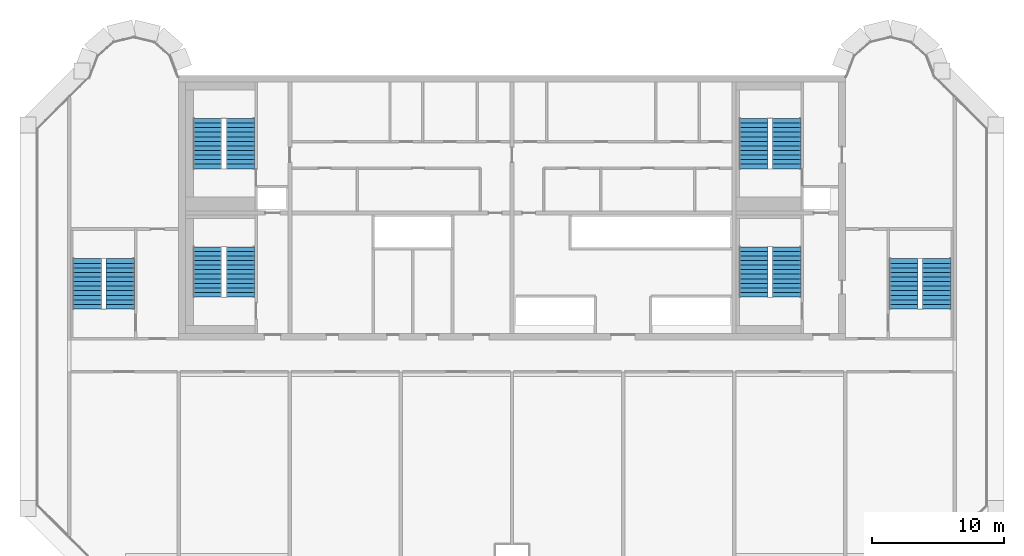
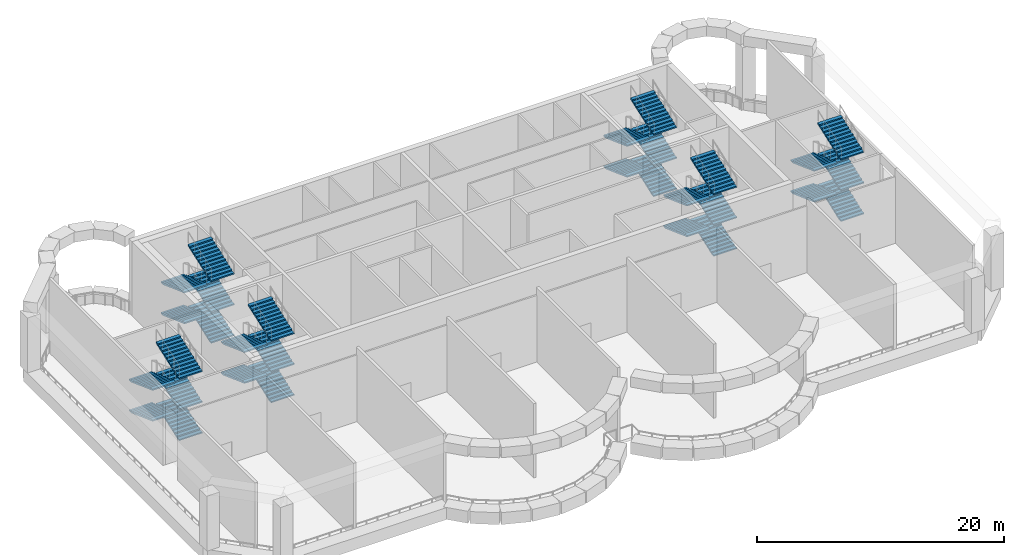
# One storey, part 5 of 11: 30 stair flights, 6 elements without a shape of their own.
"""IFC4 building model written with IfcOpenShell, lengths in metres."""

import ifcopenshell
import ifcopenshell.guid

model = None  # the IFC model being written
_history = None  # IfcOwnerHistory: only IFC2X3 demands one
_inside = {}  # id of a spatial element -> (the spatial element, [elements in it])
_under = {}  # id of a project, library or spatial element -> (it, [spatial elements below it])
_declared = {}  # id of a project -> (the project, [libraries it declares])
_typed = {}  # id of a type object -> (the type object, [elements of that type])
_made_of = {}  # id of a material, layer set ... -> (it, [elements and type objects made of it])


def new_model(schema):
    """Start an empty IFC model of exactly this schema.

    Asked for "IFC4X3", IfcOpenShell would pick the latest addendum, in which some entities
    have other attributes; the version numbers below select the first issue.
    IFC2X3 requires an IfcOwnerHistory on every rooted entity: one is made here for all.
    """
    global model, _history
    if schema == "IFC4X3":
        model = ifcopenshell.file(schema_version=(4, 3, 0, 0))
    else:
        model = ifcopenshell.file(schema=schema)
    _inside.clear()
    _under.clear()
    _declared.clear()
    _typed.clear()
    _made_of.clear()
    _history = None
    if model.schema == "IFC2X3":
        org = make("IfcOrganization", Name="unknown")
        user = make(
            "IfcPersonAndOrganization",
            ThePerson=make("IfcPerson", FamilyName="unknown"),
            TheOrganization=org,
        )
        app = make(
            "IfcApplication",
            ApplicationDeveloper=org,
            Version="unknown",
            ApplicationFullName="unknown",
            ApplicationIdentifier="unknown",
        )
        _history = make(
            "IfcOwnerHistory",
            OwningUser=user,
            OwningApplication=app,
            ChangeAction="ADDED",
            CreationDate=0,
        )
    return model


def make(cls, **values):
    """One entity of the class cls with the attributes given. An attribute that is None is left unset."""
    return model.create_entity(
        cls, **{name: value for name, value in values.items() if value is not None}
    )


def rooted(cls, **values):
    """An entity with a GlobalId (a new one), such as an element, a storey or a relation."""
    return make(cls, GlobalId=ifcopenshell.guid.new(), OwnerHistory=_history, **values)


def si_unit(unit_type, name, prefix=None):
    """IfcSIUnit, for example si_unit("LENGTHUNIT", "METRE", prefix="MILLI")."""
    return make("IfcSIUnit", UnitType=unit_type, Prefix=prefix, Name=name)


def assignment(units):
    """IfcUnitAssignment: the units of a project."""
    return None if units is None else make("IfcUnitAssignment", Units=units)


def point(xyz):
    """IfcCartesianPoint."""
    return None if xyz is None else make("IfcCartesianPoint", Coordinates=xyz)


def direction(xyz):
    """IfcDirection."""
    return None if xyz is None else make("IfcDirection", DirectionRatios=xyz)


def frame(location, z_axis=None, x_axis=None):
    """IfcAxis2Placement3D, a coordinate frame: its origin and axes. An axis left out is left unset."""
    return make(
        "IfcAxis2Placement3D",
        Location=point(location),
        Axis=direction(z_axis),
        RefDirection=direction(x_axis),
    )


def origin():
    """The frame at (0, 0, 0) with its axes left unset."""
    return frame((0.0, 0.0, 0.0))


def place(relative_to, where):
    """IfcLocalPlacement: puts the frame where relative to a parent placement (None: the world)."""
    return make(
        "IfcLocalPlacement", PlacementRelTo=relative_to, RelativePlacement=where
    )


def context(
    kind, dimensions, precision=None, world=None, true_north=None, identifier=None
):
    """IfcGeometricRepresentationContext, for example the 3D "Model" context."""
    return make(
        "IfcGeometricRepresentationContext",
        ContextIdentifier=identifier,
        ContextType=kind,
        CoordinateSpaceDimension=dimensions,
        Precision=precision,
        WorldCoordinateSystem=world,
        TrueNorth=true_north,
    )


def subcontext(parent, identifier, kind, view, scale=None):
    """IfcGeometricRepresentationSubContext, for example "Body" below "Model"."""
    return make(
        "IfcGeometricRepresentationSubContext",
        ContextIdentifier=identifier,
        ContextType=kind,
        ParentContext=parent,
        TargetScale=scale,
        TargetView=view,
    )


def project(units=None, contexts=None):
    """IfcProject with its units and contexts."""
    return rooted(
        "IfcProject",
        Name="project",
        RepresentationContexts=contexts,
        UnitsInContext=assignment(units),
    )


def spatial(cls, under=None, at=None, **own):
    """A site, building, storey or space (cls), placed at a placement, below another one or the project."""
    s = rooted(cls, ObjectPlacement=at, **own)
    if under is not None:
        _under.setdefault(under.id(), (under, []))[1].append(s)
    return s


def polyline(points):
    """IfcPolyline through the points."""
    return make("IfcPolyline", Points=[point(p) for p in points])


def outline(outer, holes=None, kind="AREA"):
    """IfcArbitraryClosedProfileDef: a profile drawn as a closed curve; with holes, ...WithVoids."""
    if holes is None:
        return make("IfcArbitraryClosedProfileDef", ProfileType=kind, OuterCurve=outer)
    return make(
        "IfcArbitraryProfileDefWithVoids",
        ProfileType=kind,
        OuterCurve=outer,
        InnerCurves=holes,
    )


def extrude(swept, where, along, depth):
    """IfcExtrudedAreaSolid: the profile swept, set in the frame where, extruded along a direction by depth."""
    return make(
        "IfcExtrudedAreaSolid",
        SweptArea=swept,
        Position=where,
        ExtrudedDirection=direction(along),
        Depth=depth,
    )


def shape(context_of_items, identifier, shape_type, items):
    """IfcShapeRepresentation: the items that make up one representation, for example the "Body"."""
    return make(
        "IfcShapeRepresentation",
        ContextOfItems=context_of_items,
        RepresentationIdentifier=identifier,
        RepresentationType=shape_type,
        Items=items,
    )


def source(mapping_origin, context_of_items, identifier, shape_type, items):
    """IfcRepresentationMap: a shape defined once, which mapped items show again and again."""
    return make(
        "IfcRepresentationMap",
        MappingOrigin=mapping_origin,
        MappedRepresentation=shape(context_of_items, identifier, shape_type, items),
    )


def transform(
    local_origin,
    x_axis=None,
    y_axis=None,
    z_axis=None,
    scale=None,
    scale2=None,
    scale3=None,
    uniform=True,
):
    """IfcCartesianTransformationOperator3D, or its non-uniform kind. x_axis, y_axis, z_axis: its Axis1, 2, 3."""
    if uniform:
        return make(
            "IfcCartesianTransformationOperator3D",
            Axis1=direction(x_axis),
            Axis2=direction(y_axis),
            LocalOrigin=point(local_origin),
            Scale=scale,
            Axis3=direction(z_axis),
        )
    return make(
        "IfcCartesianTransformationOperator3DnonUniform",
        Axis1=direction(x_axis),
        Axis2=direction(y_axis),
        LocalOrigin=point(local_origin),
        Scale=scale,
        Axis3=direction(z_axis),
        Scale2=scale2,
        Scale3=scale3,
    )


def mapped(mapping_source, mapping_target):
    """IfcMappedItem: shows the shape of a source again, moved by a transform."""
    return make(
        "IfcMappedItem", MappingSource=mapping_source, MappingTarget=mapping_target
    )


def material(Name=None, Category=None):
    """IfcMaterial."""
    return make("IfcMaterial", Name=Name, Category=Category)


def made_of(thing, what):
    """Note that an element or type object is made of a material, layer set ...; save() writes the relation."""
    if what is not None:
        _made_of.setdefault(what.id(), (what, []))[1].append(thing)
    return thing


def type_object(cls, material=None, **own):
    """A type object (cls), such as IfcWallType, which elements share."""
    return made_of(rooted(cls, **own), material)


def element(
    cls,
    number,
    at=None,
    inside=None,
    cuts=None,
    type_object=None,
    material=None,
    context=None,
    identifier="Body",
    shape_type=None,
    held_by="IfcProductDefinitionShape",
    body=None,
    shapes=None,
    **own,
):
    """One element of the class cls, such as IfcWall. Its Tag is "e" and its number.

    at: its placement. inside: the storey or other place that contains it. cuts: it is an
    opening in that element (IfcRelVoidsElement). A single representation is given by context,
    identifier, shape_type and body (its items); several are given by shapes. held_by: the class
    of the entity that holds the representations. save() writes the other relations.
    """
    e = rooted(cls, Tag="e%d" % number, ObjectPlacement=at, **own)
    if body is not None:
        shapes = [shape(context, identifier, shape_type, body)]
    if shapes is not None:
        e.Representation = make(held_by, Representations=shapes)
    if inside is not None:
        _inside.setdefault(inside.id(), (inside, []))[1].append(e)
    if cuts is not None:
        rooted(
            "IfcRelVoidsElement", RelatingBuildingElement=cuts, RelatedOpeningElement=e
        )
    if type_object is not None:
        _typed.setdefault(type_object.id(), (type_object, []))[1].append(e)
    return made_of(e, material)


def aggregate(whole, parts):
    """IfcRelAggregates: a whole, such as a stair, and the parts it consists of."""
    return rooted("IfcRelAggregates", RelatingObject=whole, RelatedObjects=parts)


def save(model, path):
    """Write the relations noted so far, then the file.

    IfcRelAggregates (storeys below a building ...), IfcRelContainedInSpatialStructure (elements
    in a storey), IfcRelDefinesByType, IfcRelAssociatesMaterial and IfcRelDeclares: one each for
    every whole, place, type object, material and project.
    """
    for whole, parts in _under.values():
        aggregate(whole, parts)
    for where, things in _inside.values():
        rooted(
            "IfcRelContainedInSpatialStructure",
            RelatedElements=things,
            RelatingStructure=where,
        )
    for kind, things in _typed.values():
        rooted("IfcRelDefinesByType", RelatedObjects=things, RelatingType=kind)
    for what, things in _made_of.values():
        rooted("IfcRelAssociatesMaterial", RelatedObjects=things, RelatingMaterial=what)
    for by, libraries in _declared.values():
        rooted("IfcRelDeclares", RelatingContext=by, RelatedDefinitions=libraries)
    model.write(path)


model = new_model("IFC4")

# Units and contexts
model_context = context("Model", 3, precision=1e-05, world=origin(), true_north=direction((0.0, 1.0)))
body_context = subcontext(model_context, "Body", "Model", "MODEL_VIEW")
ifc_project = project(units=[si_unit("LENGTHUNIT", "METRE"), si_unit("AREAUNIT", "SQUARE_METRE"), si_unit("VOLUMEUNIT", "CUBIC_METRE"), si_unit("PLANEANGLEUNIT", "RADIAN"), si_unit("MASSUNIT", "GRAM", prefix="KILO")], contexts=[model_context])

# Site, building, storey
site_placement = place(None, origin())
site = spatial("IfcSite", under=ifc_project, at=site_placement, CompositionType="ELEMENT")
building_placement = place(site_placement, origin())
building = spatial("IfcBuilding", under=site, at=building_placement, Name="Vanashikhar Sky Hotel", CompositionType="ELEMENT")
storey_placement = place(building_placement, frame((0.0, 0.0, 270.10009765625)))
storey = spatial("IfcBuildingStorey", under=building, at=storey_placement, Name="L65", CompositionType="ELEMENT", Elevation=270.10009765625)

# Stair, stair flights
ifc_material = material(Name="Concrete M40", Category="concrete")
stair_type = type_object("IfcStairType", Name="Exit stair 2150", PredefinedType="DOUBLE_RETURN_STAIR", material=ifc_material)
stair_1_placement = place(storey_placement, origin())
stair_1 = element("IfcStair", 1, at=stair_1_placement, inside=storey, type_object=stair_type, Name="L65 Exit stair 1", PredefinedType="DOUBLE_RETURN_STAIR")
stair_flight_type = type_object("IfcStairFlightType", Name="Stair flight 2150", PredefinedType="STRAIGHT", material=ifc_material)
shared_shape = source(origin(), body_context, "Body", "SweptSolid", [
    extrude(outline(polyline([(0.0, 0.0), (0.0, 0.126708984375), (0.345458984375, 0.126708984375), (0.345458984375, 0.25341796875), (0.69091796875, 0.25341796875), (0.69091796875, 0.3798828125), (1.036376953125, 0.3798828125), (1.036376953125, 0.506591796875), (1.3818359375, 0.506591796875), (1.3818359375, 0.63330078125), (1.727294921875, 0.63330078125), (1.727294921875, 0.760009765625), (2.07275390625, 0.760009765625), (2.07275390625, 0.88671875), (2.418212890625, 0.88671875), (2.418212890625, 1.013427734375), (2.763671875, 1.013427734375), (2.763671875, 1.139892578125), (3.109130859375, 1.139892578125), (3.109130859375, 1.2666015625), (3.45458984375, 1.2666015625), (3.45458984375, 1.393310546875), (3.800048828125, 1.393310546875), (3.800048828125, 1.52001953125), (3.800048828125, 1.265380859375), (0.348876953125, 0.0), (0.0, 0.0)])), frame((0.0, 1.074951171875, 0.0), z_axis=(0.0, -1.0, 0.0), x_axis=(1.0, 0.0, 0.0)), (0.0, 0.0, 1.0), 2.14990234375),
])
stair_flight_1_placement = place(storey_placement, frame((29.875, 25.25, 0.0), z_axis=(0.0, 0.0, 1.0), x_axis=(0.0, 1.0, 0.0)))
stair_flight_1 = element("IfcStairFlight", 2, at=stair_flight_1_placement, type_object=stair_flight_type, Name="ST-C1 flight 1", NumberOfRisers=12, NumberOfTreads=11, PredefinedType="STRAIGHT", RiserHeight=0.126666667, TreadLength=0.345454545, context=body_context, shape_type="MappedRepresentation", body=[
    mapped(shared_shape, transform((0.0, 0.0, 0.0), scale=1.0)),
])
stair_flight_2_placement = place(storey_placement, frame((27.375, 29.050048828125, 1.52001953125), z_axis=(0.0, 0.0, 1.0), x_axis=(0.0, -1.0, 0.0)))
stair_flight_2 = element("IfcStairFlight", 3, at=stair_flight_2_placement, type_object=stair_flight_type, Name="ST-C1 flight 2", NumberOfRisers=12, NumberOfTreads=11, PredefinedType="STRAIGHT", RiserHeight=0.126666667, TreadLength=0.345454545, context=body_context, shape_type="MappedRepresentation", body=[
    mapped(shared_shape, transform((0.0, 0.0, 0.0), scale=1.0)),
])
stair_flight_3_placement = place(storey_placement, frame((29.875, 25.25, 3.039794921875), z_axis=(0.0, 0.0, 1.0), x_axis=(0.0, 1.0, 0.0)))
stair_flight_3 = element("IfcStairFlight", 4, at=stair_flight_3_placement, type_object=stair_flight_type, Name="ST-C1 flight 3", NumberOfRisers=12, NumberOfTreads=11, PredefinedType="STRAIGHT", RiserHeight=0.126666667, TreadLength=0.345454545, context=body_context, shape_type="MappedRepresentation", body=[
    mapped(shared_shape, transform((0.0, 0.0, 0.0), scale=1.0)),
])
stair_flight_4_placement = place(storey_placement, frame((27.375, 29.050048828125, 4.559814453125), z_axis=(0.0, 0.0, 1.0), x_axis=(0.0, -1.0, 0.0)))
stair_flight_4 = element("IfcStairFlight", 5, at=stair_flight_4_placement, type_object=stair_flight_type, Name="ST-C1 flight 4", NumberOfRisers=12, NumberOfTreads=11, PredefinedType="STRAIGHT", RiserHeight=0.126666667, TreadLength=0.345454545, context=body_context, shape_type="MappedRepresentation", body=[
    mapped(shared_shape, transform((0.0, 0.0, 0.0), scale=1.0)),
])
stair_flight_5_placement = place(storey_placement, frame((29.875, 25.25, 6.079833984375), z_axis=(0.0, 0.0, 1.0), x_axis=(0.0, 1.0, 0.0)))
stair_flight_5 = element("IfcStairFlight", 6, at=stair_flight_5_placement, type_object=stair_flight_type, Name="ST-C1 flight 5", NumberOfRisers=12, NumberOfTreads=11, PredefinedType="STRAIGHT", RiserHeight=0.126666667, TreadLength=0.345454545, context=body_context, shape_type="MappedRepresentation", body=[
    mapped(shared_shape, transform((0.0, 0.0, 0.0), scale=1.0)),
])
aggregate(stair_1, [stair_flight_1, stair_flight_2, stair_flight_3, stair_flight_4, stair_flight_5])

stair_2_placement = place(storey_placement, origin())
stair_2 = element("IfcStair", 7, at=stair_2_placement, inside=storey, type_object=stair_type, Name="L65 Exit stair 2", PredefinedType="DOUBLE_RETURN_STAIR")
stair_flight_6_placement = place(storey_placement, frame((71.175048828125, 25.25, 0.0), z_axis=(0.0, 0.0, 1.0), x_axis=(0.0, 1.0, 0.0)))
stair_flight_6 = element("IfcStairFlight", 8, at=stair_flight_6_placement, type_object=stair_flight_type, Name="ST-C2 flight 1", NumberOfRisers=12, NumberOfTreads=11, PredefinedType="STRAIGHT", RiserHeight=0.126666667, TreadLength=0.345454545, context=body_context, shape_type="MappedRepresentation", body=[
    mapped(shared_shape, transform((0.0, 0.0, 0.0), scale=1.0)),
])
stair_flight_7_placement = place(storey_placement, frame((68.675048828125, 29.050048828125, 1.52001953125), z_axis=(0.0, 0.0, 1.0), x_axis=(0.0, -1.0, 0.0)))
stair_flight_7 = element("IfcStairFlight", 9, at=stair_flight_7_placement, type_object=stair_flight_type, Name="ST-C2 flight 2", NumberOfRisers=12, NumberOfTreads=11, PredefinedType="STRAIGHT", RiserHeight=0.126666667, TreadLength=0.345454545, context=body_context, shape_type="MappedRepresentation", body=[
    mapped(shared_shape, transform((0.0, 0.0, 0.0), scale=1.0)),
])
stair_flight_8_placement = place(storey_placement, frame((71.175048828125, 25.25, 3.039794921875), z_axis=(0.0, 0.0, 1.0), x_axis=(0.0, 1.0, 0.0)))
stair_flight_8 = element("IfcStairFlight", 10, at=stair_flight_8_placement, type_object=stair_flight_type, Name="ST-C2 flight 3", NumberOfRisers=12, NumberOfTreads=11, PredefinedType="STRAIGHT", RiserHeight=0.126666667, TreadLength=0.345454545, context=body_context, shape_type="MappedRepresentation", body=[
    mapped(shared_shape, transform((0.0, 0.0, 0.0), scale=1.0)),
])
stair_flight_9_placement = place(storey_placement, frame((68.675048828125, 29.050048828125, 4.559814453125), z_axis=(0.0, 0.0, 1.0), x_axis=(0.0, -1.0, 0.0)))
stair_flight_9 = element("IfcStairFlight", 11, at=stair_flight_9_placement, type_object=stair_flight_type, Name="ST-C2 flight 4", NumberOfRisers=12, NumberOfTreads=11, PredefinedType="STRAIGHT", RiserHeight=0.126666667, TreadLength=0.345454545, context=body_context, shape_type="MappedRepresentation", body=[
    mapped(shared_shape, transform((0.0, 0.0, 0.0), scale=1.0)),
])
stair_flight_10_placement = place(storey_placement, frame((71.175048828125, 25.25, 6.079833984375), z_axis=(0.0, 0.0, 1.0), x_axis=(0.0, 1.0, 0.0)))
stair_flight_10 = element("IfcStairFlight", 12, at=stair_flight_10_placement, type_object=stair_flight_type, Name="ST-C2 flight 5", NumberOfRisers=12, NumberOfTreads=11, PredefinedType="STRAIGHT", RiserHeight=0.126666667, TreadLength=0.345454545, context=body_context, shape_type="MappedRepresentation", body=[
    mapped(shared_shape, transform((0.0, 0.0, 0.0), scale=1.0)),
])
aggregate(stair_2, [stair_flight_6, stair_flight_7, stair_flight_8, stair_flight_9, stair_flight_10])

stair_3_placement = place(storey_placement, origin())
stair_3 = element("IfcStair", 13, at=stair_3_placement, inside=storey, type_object=stair_type, Name="L65 Exit stair 3", PredefinedType="DOUBLE_RETURN_STAIR")
stair_flight_11_placement = place(storey_placement, frame((20.77490234375, 24.35009765625, 0.0), z_axis=(0.0, 0.0, 1.0), x_axis=(0.0, 1.0, 0.0)))
stair_flight_11 = element("IfcStairFlight", 14, at=stair_flight_11_placement, type_object=stair_flight_type, Name="ST-W flight 1", NumberOfRisers=12, NumberOfTreads=11, PredefinedType="STRAIGHT", RiserHeight=0.126666667, TreadLength=0.345454545, context=body_context, shape_type="MappedRepresentation", body=[
    mapped(shared_shape, transform((0.0, 0.0, 0.0), scale=1.0)),
])
stair_flight_12_placement = place(storey_placement, frame((18.27490234375, 28.14990234375, 1.52001953125), z_axis=(0.0, 0.0, 1.0), x_axis=(0.0, -1.0, 0.0)))
stair_flight_12 = element("IfcStairFlight", 15, at=stair_flight_12_placement, type_object=stair_flight_type, Name="ST-W flight 2", NumberOfRisers=12, NumberOfTreads=11, PredefinedType="STRAIGHT", RiserHeight=0.126666667, TreadLength=0.345454545, context=body_context, shape_type="MappedRepresentation", body=[
    mapped(shared_shape, transform((0.0, 0.0, 0.0), scale=1.0)),
])
stair_flight_13_placement = place(storey_placement, frame((20.77490234375, 24.35009765625, 3.039794921875), z_axis=(0.0, 0.0, 1.0), x_axis=(0.0, 1.0, 0.0)))
stair_flight_13 = element("IfcStairFlight", 16, at=stair_flight_13_placement, type_object=stair_flight_type, Name="ST-W flight 3", NumberOfRisers=12, NumberOfTreads=11, PredefinedType="STRAIGHT", RiserHeight=0.126666667, TreadLength=0.345454545, context=body_context, shape_type="MappedRepresentation", body=[
    mapped(shared_shape, transform((0.0, 0.0, 0.0), scale=1.0)),
])
stair_flight_14_placement = place(storey_placement, frame((18.27490234375, 28.14990234375, 4.559814453125), z_axis=(0.0, 0.0, 1.0), x_axis=(0.0, -1.0, 0.0)))
stair_flight_14 = element("IfcStairFlight", 17, at=stair_flight_14_placement, type_object=stair_flight_type, Name="ST-W flight 4", NumberOfRisers=12, NumberOfTreads=11, PredefinedType="STRAIGHT", RiserHeight=0.126666667, TreadLength=0.345454545, context=body_context, shape_type="MappedRepresentation", body=[
    mapped(shared_shape, transform((0.0, 0.0, 0.0), scale=1.0)),
])
stair_flight_15_placement = place(storey_placement, frame((20.77490234375, 24.35009765625, 6.079833984375), z_axis=(0.0, 0.0, 1.0), x_axis=(0.0, 1.0, 0.0)))
stair_flight_15 = element("IfcStairFlight", 18, at=stair_flight_15_placement, type_object=stair_flight_type, Name="ST-W flight 5", NumberOfRisers=12, NumberOfTreads=11, PredefinedType="STRAIGHT", RiserHeight=0.126666667, TreadLength=0.345454545, context=body_context, shape_type="MappedRepresentation", body=[
    mapped(shared_shape, transform((0.0, 0.0, 0.0), scale=1.0)),
])
aggregate(stair_3, [stair_flight_11, stair_flight_12, stair_flight_13, stair_flight_14, stair_flight_15])

stair_4_placement = place(storey_placement, origin())
stair_4 = element("IfcStair", 19, at=stair_4_placement, inside=storey, type_object=stair_type, Name="L65 Exit stair 4", PredefinedType="DOUBLE_RETURN_STAIR")
stair_flight_16_placement = place(storey_placement, frame((82.52490234375, 24.35009765625, 0.0), z_axis=(0.0, 0.0, 1.0), x_axis=(0.0, 1.0, 0.0)))
stair_flight_16 = element("IfcStairFlight", 20, at=stair_flight_16_placement, type_object=stair_flight_type, Name="ST-E flight 1", NumberOfRisers=12, NumberOfTreads=11, PredefinedType="STRAIGHT", RiserHeight=0.126666667, TreadLength=0.345454545, context=body_context, shape_type="MappedRepresentation", body=[
    mapped(shared_shape, transform((0.0, 0.0, 0.0), scale=1.0)),
])
stair_flight_17_placement = place(storey_placement, frame((80.02490234375, 28.14990234375, 1.52001953125), z_axis=(0.0, 0.0, 1.0), x_axis=(0.0, -1.0, 0.0)))
stair_flight_17 = element("IfcStairFlight", 21, at=stair_flight_17_placement, type_object=stair_flight_type, Name="ST-E flight 2", NumberOfRisers=12, NumberOfTreads=11, PredefinedType="STRAIGHT", RiserHeight=0.126666667, TreadLength=0.345454545, context=body_context, shape_type="MappedRepresentation", body=[
    mapped(shared_shape, transform((0.0, 0.0, 0.0), scale=1.0)),
])
stair_flight_18_placement = place(storey_placement, frame((82.52490234375, 24.35009765625, 3.039794921875), z_axis=(0.0, 0.0, 1.0), x_axis=(0.0, 1.0, 0.0)))
stair_flight_18 = element("IfcStairFlight", 22, at=stair_flight_18_placement, type_object=stair_flight_type, Name="ST-E flight 3", NumberOfRisers=12, NumberOfTreads=11, PredefinedType="STRAIGHT", RiserHeight=0.126666667, TreadLength=0.345454545, context=body_context, shape_type="MappedRepresentation", body=[
    mapped(shared_shape, transform((0.0, 0.0, 0.0), scale=1.0)),
])
stair_flight_19_placement = place(storey_placement, frame((80.02490234375, 28.14990234375, 4.559814453125), z_axis=(0.0, 0.0, 1.0), x_axis=(0.0, -1.0, 0.0)))
stair_flight_19 = element("IfcStairFlight", 23, at=stair_flight_19_placement, type_object=stair_flight_type, Name="ST-E flight 4", NumberOfRisers=12, NumberOfTreads=11, PredefinedType="STRAIGHT", RiserHeight=0.126666667, TreadLength=0.345454545, context=body_context, shape_type="MappedRepresentation", body=[
    mapped(shared_shape, transform((0.0, 0.0, 0.0), scale=1.0)),
])
stair_flight_20_placement = place(storey_placement, frame((82.52490234375, 24.35009765625, 6.079833984375), z_axis=(0.0, 0.0, 1.0), x_axis=(0.0, 1.0, 0.0)))
stair_flight_20 = element("IfcStairFlight", 24, at=stair_flight_20_placement, type_object=stair_flight_type, Name="ST-E flight 5", NumberOfRisers=12, NumberOfTreads=11, PredefinedType="STRAIGHT", RiserHeight=0.126666667, TreadLength=0.345454545, context=body_context, shape_type="MappedRepresentation", body=[
    mapped(shared_shape, transform((0.0, 0.0, 0.0), scale=1.0)),
])
aggregate(stair_4, [stair_flight_16, stair_flight_17, stair_flight_18, stair_flight_19, stair_flight_20])

stair_5_placement = place(storey_placement, origin())
stair_5 = element("IfcStair", 25, at=stair_5_placement, inside=storey, type_object=stair_type, Name="L65 Exit stair 5", PredefinedType="DOUBLE_RETURN_STAIR")
stair_flight_21_placement = place(storey_placement, frame((29.875, 34.949951171875, 0.0), z_axis=(0.0, 0.0, 1.0), x_axis=(0.0, 1.0, 0.0)))
stair_flight_21 = element("IfcStairFlight", 26, at=stair_flight_21_placement, type_object=stair_flight_type, Name="ST-C3 flight 1", NumberOfRisers=12, NumberOfTreads=11, PredefinedType="STRAIGHT", RiserHeight=0.126666667, TreadLength=0.345454545, context=body_context, shape_type="MappedRepresentation", body=[
    mapped(shared_shape, transform((0.0, 0.0, 0.0), scale=1.0)),
])
stair_flight_22_placement = place(storey_placement, frame((27.375, 38.75, 1.52001953125), z_axis=(0.0, 0.0, 1.0), x_axis=(0.0, -1.0, 0.0)))
stair_flight_22 = element("IfcStairFlight", 27, at=stair_flight_22_placement, type_object=stair_flight_type, Name="ST-C3 flight 2", NumberOfRisers=12, NumberOfTreads=11, PredefinedType="STRAIGHT", RiserHeight=0.126666667, TreadLength=0.345454545, context=body_context, shape_type="MappedRepresentation", body=[
    mapped(shared_shape, transform((0.0, 0.0, 0.0), scale=1.0)),
])
stair_flight_23_placement = place(storey_placement, frame((29.875, 34.949951171875, 3.039794921875), z_axis=(0.0, 0.0, 1.0), x_axis=(0.0, 1.0, 0.0)))
stair_flight_23 = element("IfcStairFlight", 28, at=stair_flight_23_placement, type_object=stair_flight_type, Name="ST-C3 flight 3", NumberOfRisers=12, NumberOfTreads=11, PredefinedType="STRAIGHT", RiserHeight=0.126666667, TreadLength=0.345454545, context=body_context, shape_type="MappedRepresentation", body=[
    mapped(shared_shape, transform((0.0, 0.0, 0.0), scale=1.0)),
])
stair_flight_24_placement = place(storey_placement, frame((27.375, 38.75, 4.559814453125), z_axis=(0.0, 0.0, 1.0), x_axis=(0.0, -1.0, 0.0)))
stair_flight_24 = element("IfcStairFlight", 29, at=stair_flight_24_placement, type_object=stair_flight_type, Name="ST-C3 flight 4", NumberOfRisers=12, NumberOfTreads=11, PredefinedType="STRAIGHT", RiserHeight=0.126666667, TreadLength=0.345454545, context=body_context, shape_type="MappedRepresentation", body=[
    mapped(shared_shape, transform((0.0, 0.0, 0.0), scale=1.0)),
])
stair_flight_25_placement = place(storey_placement, frame((29.875, 34.949951171875, 6.079833984375), z_axis=(0.0, 0.0, 1.0), x_axis=(0.0, 1.0, 0.0)))
stair_flight_25 = element("IfcStairFlight", 30, at=stair_flight_25_placement, type_object=stair_flight_type, Name="ST-C3 flight 5", NumberOfRisers=12, NumberOfTreads=11, PredefinedType="STRAIGHT", RiserHeight=0.126666667, TreadLength=0.345454545, context=body_context, shape_type="MappedRepresentation", body=[
    mapped(shared_shape, transform((0.0, 0.0, 0.0), scale=1.0)),
])
aggregate(stair_5, [stair_flight_21, stair_flight_22, stair_flight_23, stair_flight_24, stair_flight_25])

stair_6_placement = place(storey_placement, origin())
stair_6 = element("IfcStair", 31, at=stair_6_placement, inside=storey, type_object=stair_type, Name="L65 Exit stair 6", PredefinedType="DOUBLE_RETURN_STAIR")
stair_flight_26_placement = place(storey_placement, frame((71.175048828125, 34.949951171875, 0.0), z_axis=(0.0, 0.0, 1.0), x_axis=(0.0, 1.0, 0.0)))
stair_flight_26 = element("IfcStairFlight", 32, at=stair_flight_26_placement, type_object=stair_flight_type, Name="ST-C4 flight 1", NumberOfRisers=12, NumberOfTreads=11, PredefinedType="STRAIGHT", RiserHeight=0.126666667, TreadLength=0.345454545, context=body_context, shape_type="MappedRepresentation", body=[
    mapped(shared_shape, transform((0.0, 0.0, 0.0), scale=1.0)),
])
stair_flight_27_placement = place(storey_placement, frame((68.675048828125, 38.75, 1.52001953125), z_axis=(0.0, 0.0, 1.0), x_axis=(0.0, -1.0, 0.0)))
stair_flight_27 = element("IfcStairFlight", 33, at=stair_flight_27_placement, type_object=stair_flight_type, Name="ST-C4 flight 2", NumberOfRisers=12, NumberOfTreads=11, PredefinedType="STRAIGHT", RiserHeight=0.126666667, TreadLength=0.345454545, context=body_context, shape_type="MappedRepresentation", body=[
    mapped(shared_shape, transform((0.0, 0.0, 0.0), scale=1.0)),
])
stair_flight_28_placement = place(storey_placement, frame((71.175048828125, 34.949951171875, 3.039794921875), z_axis=(0.0, 0.0, 1.0), x_axis=(0.0, 1.0, 0.0)))
stair_flight_28 = element("IfcStairFlight", 34, at=stair_flight_28_placement, type_object=stair_flight_type, Name="ST-C4 flight 3", NumberOfRisers=12, NumberOfTreads=11, PredefinedType="STRAIGHT", RiserHeight=0.126666667, TreadLength=0.345454545, context=body_context, shape_type="MappedRepresentation", body=[
    mapped(shared_shape, transform((0.0, 0.0, 0.0), scale=1.0)),
])
stair_flight_29_placement = place(storey_placement, frame((68.675048828125, 38.75, 4.559814453125), z_axis=(0.0, 0.0, 1.0), x_axis=(0.0, -1.0, 0.0)))
stair_flight_29 = element("IfcStairFlight", 35, at=stair_flight_29_placement, type_object=stair_flight_type, Name="ST-C4 flight 4", NumberOfRisers=12, NumberOfTreads=11, PredefinedType="STRAIGHT", RiserHeight=0.126666667, TreadLength=0.345454545, context=body_context, shape_type="MappedRepresentation", body=[
    mapped(shared_shape, transform((0.0, 0.0, 0.0), scale=1.0)),
])
stair_flight_30_placement = place(storey_placement, frame((71.175048828125, 34.949951171875, 6.079833984375), z_axis=(0.0, 0.0, 1.0), x_axis=(0.0, 1.0, 0.0)))
stair_flight_30 = element("IfcStairFlight", 36, at=stair_flight_30_placement, type_object=stair_flight_type, Name="ST-C4 flight 5", NumberOfRisers=12, NumberOfTreads=11, PredefinedType="STRAIGHT", RiserHeight=0.126666667, TreadLength=0.345454545, context=body_context, shape_type="MappedRepresentation", body=[
    mapped(shared_shape, transform((0.0, 0.0, 0.0), scale=1.0)),
])
aggregate(stair_6, [stair_flight_26, stair_flight_27, stair_flight_28, stair_flight_29, stair_flight_30])

save(model, "model.ifc")
